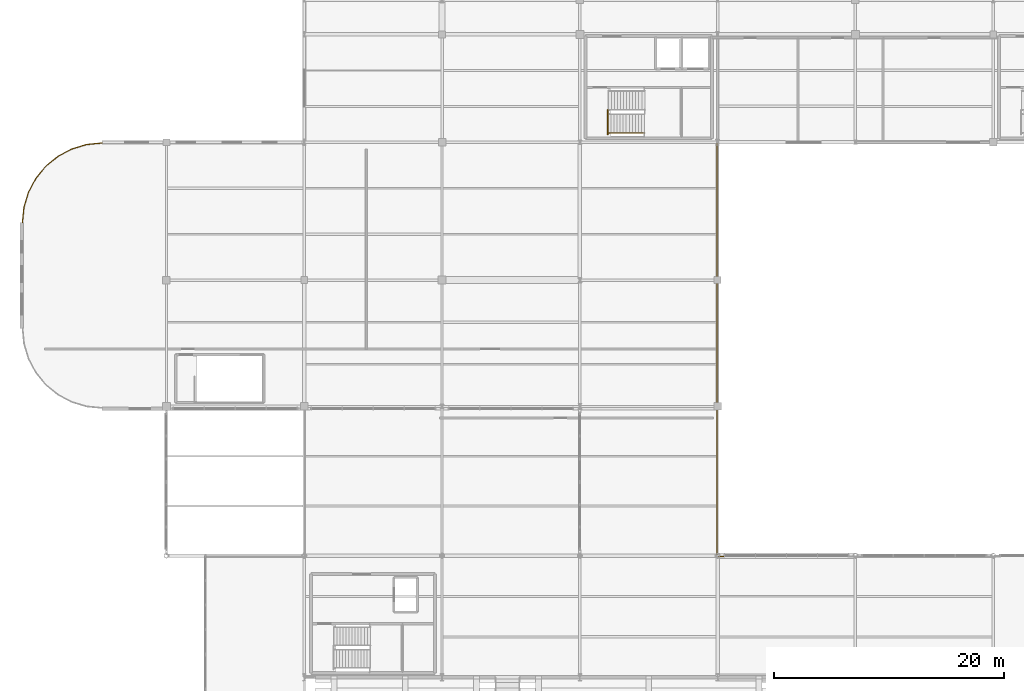
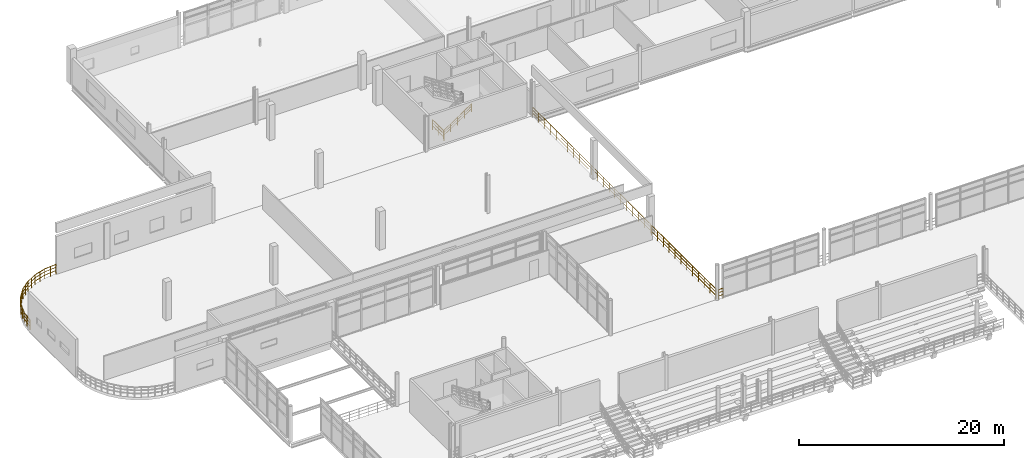
# One storey, part 82 of 89: 13 railings.
"""IFC4 building model written with IfcOpenShell, lengths in metres."""

import ifcopenshell
import ifcopenshell.guid

model = None  # the IFC model being written
_history = None  # IfcOwnerHistory: only IFC2X3 demands one
_inside = {}  # id of a spatial element -> (the spatial element, [elements in it])
_under = {}  # id of a project, library or spatial element -> (it, [spatial elements below it])
_declared = {}  # id of a project -> (the project, [libraries it declares])
_typed = {}  # id of a type object -> (the type object, [elements of that type])
_made_of = {}  # id of a material, layer set ... -> (it, [elements and type objects made of it])


def new_model(schema):
    """Start an empty IFC model of exactly this schema.

    Asked for "IFC4X3", IfcOpenShell would pick the latest addendum, in which some entities
    have other attributes; the version numbers below select the first issue.
    IFC2X3 requires an IfcOwnerHistory on every rooted entity: one is made here for all.
    """
    global model, _history
    if schema == "IFC4X3":
        model = ifcopenshell.file(schema_version=(4, 3, 0, 0))
    else:
        model = ifcopenshell.file(schema=schema)
    _inside.clear()
    _under.clear()
    _declared.clear()
    _typed.clear()
    _made_of.clear()
    _history = None
    if model.schema == "IFC2X3":
        org = make("IfcOrganization", Name="unknown")
        user = make(
            "IfcPersonAndOrganization",
            ThePerson=make("IfcPerson", FamilyName="unknown"),
            TheOrganization=org,
        )
        app = make(
            "IfcApplication",
            ApplicationDeveloper=org,
            Version="unknown",
            ApplicationFullName="unknown",
            ApplicationIdentifier="unknown",
        )
        _history = make(
            "IfcOwnerHistory",
            OwningUser=user,
            OwningApplication=app,
            ChangeAction="ADDED",
            CreationDate=0,
        )
    return model


def make(cls, **values):
    """One entity of the class cls with the attributes given. An attribute that is None is left unset."""
    return model.create_entity(
        cls, **{name: value for name, value in values.items() if value is not None}
    )


def rooted(cls, **values):
    """An entity with a GlobalId (a new one), such as an element, a storey or a relation."""
    return make(cls, GlobalId=ifcopenshell.guid.new(), OwnerHistory=_history, **values)


def si_unit(unit_type, name, prefix=None):
    """IfcSIUnit, for example si_unit("LENGTHUNIT", "METRE", prefix="MILLI")."""
    return make("IfcSIUnit", UnitType=unit_type, Prefix=prefix, Name=name)


def assignment(units):
    """IfcUnitAssignment: the units of a project."""
    return None if units is None else make("IfcUnitAssignment", Units=units)


def point(xyz):
    """IfcCartesianPoint."""
    return None if xyz is None else make("IfcCartesianPoint", Coordinates=xyz)


def direction(xyz):
    """IfcDirection."""
    return None if xyz is None else make("IfcDirection", DirectionRatios=xyz)


def frame(location, z_axis=None, x_axis=None):
    """IfcAxis2Placement3D, a coordinate frame: its origin and axes. An axis left out is left unset."""
    return make(
        "IfcAxis2Placement3D",
        Location=point(location),
        Axis=direction(z_axis),
        RefDirection=direction(x_axis),
    )


def frame_2d(location, x_axis=None):
    """IfcAxis2Placement2D, a coordinate frame in the plane: its origin and x axis."""
    return make(
        "IfcAxis2Placement2D", Location=point(location), RefDirection=direction(x_axis)
    )


def origin():
    """The frame at (0, 0, 0) with its axes left unset."""
    return frame((0.0, 0.0, 0.0))


def origin_2d():
    """The frame at (0, 0) in the plane with its x axis left unset."""
    return frame_2d((0.0, 0.0))


def place(relative_to, where):
    """IfcLocalPlacement: puts the frame where relative to a parent placement (None: the world)."""
    return make(
        "IfcLocalPlacement", PlacementRelTo=relative_to, RelativePlacement=where
    )


def context(
    kind, dimensions, precision=None, world=None, true_north=None, identifier=None
):
    """IfcGeometricRepresentationContext, for example the 3D "Model" context."""
    return make(
        "IfcGeometricRepresentationContext",
        ContextIdentifier=identifier,
        ContextType=kind,
        CoordinateSpaceDimension=dimensions,
        Precision=precision,
        WorldCoordinateSystem=world,
        TrueNorth=true_north,
    )


def subcontext(parent, identifier, kind, view, scale=None):
    """IfcGeometricRepresentationSubContext, for example "Body" below "Model"."""
    return make(
        "IfcGeometricRepresentationSubContext",
        ContextIdentifier=identifier,
        ContextType=kind,
        ParentContext=parent,
        TargetScale=scale,
        TargetView=view,
    )


def project(units=None, contexts=None):
    """IfcProject with its units and contexts."""
    return rooted(
        "IfcProject",
        Name="project",
        RepresentationContexts=contexts,
        UnitsInContext=assignment(units),
    )


def spatial(cls, under=None, at=None, **own):
    """A site, building, storey or space (cls), placed at a placement, below another one or the project."""
    s = rooted(cls, ObjectPlacement=at, **own)
    if under is not None:
        _under.setdefault(under.id(), (under, []))[1].append(s)
    return s


def profile(cls, at=None, kind="AREA", **sizes):
    """A parametric profile (cls). Its sizes go by their IFC names, for example OverallWidth=200.0."""
    return make(cls, ProfileType=kind, Position=at, **sizes)


def circle(**sizes):
    """IfcCircleProfileDef."""
    return profile("IfcCircleProfileDef", **sizes)


def extrude(swept, where, along, depth):
    """IfcExtrudedAreaSolid: the profile swept, set in the frame where, extruded along a direction by depth."""
    return make(
        "IfcExtrudedAreaSolid",
        SweptArea=swept,
        Position=where,
        ExtrudedDirection=direction(along),
        Depth=depth,
    )


def shape(context_of_items, identifier, shape_type, items):
    """IfcShapeRepresentation: the items that make up one representation, for example the "Body"."""
    return make(
        "IfcShapeRepresentation",
        ContextOfItems=context_of_items,
        RepresentationIdentifier=identifier,
        RepresentationType=shape_type,
        Items=items,
    )


def material(Name=None, Category=None):
    """IfcMaterial."""
    return make("IfcMaterial", Name=Name, Category=Category)


def layer(
    of_material, thickness, ventilated=None, Name=None, Category=None, Priority=None
):
    """IfcMaterialLayer: one layer of a wall or slab, of a material (None: an air gap)."""
    return make(
        "IfcMaterialLayer",
        Material=of_material,
        LayerThickness=thickness,
        IsVentilated=ventilated,
        Name=Name,
        Category=Category,
        Priority=Priority,
    )


def layer_set(layers, Name=None):
    """IfcMaterialLayerSet."""
    return make("IfcMaterialLayerSet", MaterialLayers=layers, LayerSetName=Name)


def made_of(thing, what):
    """Note that an element or type object is made of a material, layer set ...; save() writes the relation."""
    if what is not None:
        _made_of.setdefault(what.id(), (what, []))[1].append(thing)
    return thing


def type_object(cls, material=None, **own):
    """A type object (cls), such as IfcWallType, which elements share."""
    return made_of(rooted(cls, **own), material)


def element(
    cls,
    number,
    at=None,
    inside=None,
    cuts=None,
    type_object=None,
    material=None,
    context=None,
    identifier="Body",
    shape_type=None,
    held_by="IfcProductDefinitionShape",
    body=None,
    shapes=None,
    **own,
):
    """One element of the class cls, such as IfcWall. Its Tag is "e" and its number.

    at: its placement. inside: the storey or other place that contains it. cuts: it is an
    opening in that element (IfcRelVoidsElement). A single representation is given by context,
    identifier, shape_type and body (its items); several are given by shapes. held_by: the class
    of the entity that holds the representations. save() writes the other relations.
    """
    e = rooted(cls, Tag="e%d" % number, ObjectPlacement=at, **own)
    if body is not None:
        shapes = [shape(context, identifier, shape_type, body)]
    if shapes is not None:
        e.Representation = make(held_by, Representations=shapes)
    if inside is not None:
        _inside.setdefault(inside.id(), (inside, []))[1].append(e)
    if cuts is not None:
        rooted(
            "IfcRelVoidsElement", RelatingBuildingElement=cuts, RelatedOpeningElement=e
        )
    if type_object is not None:
        _typed.setdefault(type_object.id(), (type_object, []))[1].append(e)
    return made_of(e, material)


def aggregate(whole, parts):
    """IfcRelAggregates: a whole, such as a stair, and the parts it consists of."""
    return rooted("IfcRelAggregates", RelatingObject=whole, RelatedObjects=parts)


def save(model, path):
    """Write the relations noted so far, then the file.

    IfcRelAggregates (storeys below a building ...), IfcRelContainedInSpatialStructure (elements
    in a storey), IfcRelDefinesByType, IfcRelAssociatesMaterial and IfcRelDeclares: one each for
    every whole, place, type object, material and project.
    """
    for whole, parts in _under.values():
        aggregate(whole, parts)
    for where, things in _inside.values():
        rooted(
            "IfcRelContainedInSpatialStructure",
            RelatedElements=things,
            RelatingStructure=where,
        )
    for kind, things in _typed.values():
        rooted("IfcRelDefinesByType", RelatedObjects=things, RelatingType=kind)
    for what, things in _made_of.values():
        rooted("IfcRelAssociatesMaterial", RelatedObjects=things, RelatingMaterial=what)
    for by, libraries in _declared.values():
        rooted("IfcRelDeclares", RelatingContext=by, RelatedDefinitions=libraries)
    model.write(path)


model = new_model("IFC4")

# Units and contexts
model_context = context("Model", 3, precision=1e-05, world=origin(), true_north=direction((0.0, 1.0)))
body_context = subcontext(model_context, "Body", "Model", "MODEL_VIEW")
ifc_project = project(units=[si_unit("LENGTHUNIT", "METRE"), si_unit("AREAUNIT", "SQUARE_METRE"), si_unit("VOLUMEUNIT", "CUBIC_METRE"), si_unit("PLANEANGLEUNIT", "RADIAN"), si_unit("MASSUNIT", "GRAM", prefix="KILO"), si_unit("THERMODYNAMICTEMPERATUREUNIT", "KELVIN"), si_unit("POWERUNIT", "WATT")], contexts=[model_context])

# Site, building, storey
site_placement = place(None, origin())
site = spatial("IfcSite", under=ifc_project, at=site_placement, CompositionType="ELEMENT")
building_placement = place(site_placement, origin())
building = spatial("IfcBuilding", under=site, at=building_placement, Name="Solmara Park Aquatics Centre", CompositionType="ELEMENT")
storey_placement = place(building_placement, frame((0.0, 0.0, 5.39990234375)))
storey = spatial("IfcBuildingStorey", under=building, at=storey_placement, Name="L01", CompositionType="ELEMENT", Elevation=5.39990234375)

# Railings
ifc_material_1 = material(Name="Brushed Marine-Grade Stainless Steel 316L Handrail", Category="steel")
ifc_layer_1 = layer(ifc_material_1, 0.044921875, Name="Brushed Marine-Grade Stainless Steel 316L Handrail")
ifc_layer_set_1 = layer_set([ifc_layer_1], Name="Brushed Marine-Grade Stainless Steel 316L Handrail")
railing_type_1 = type_object("IfcRailingType", Name="ARC-RL-HND090", PredefinedType="HANDRAIL", material=ifc_layer_set_1)
railing_1_placement = place(storey_placement, frame((51.050048828125, 109.409912109375, 0.16162109375)))
element("IfcRailing", 1, at=railing_1_placement, inside=storey, type_object=railing_type_1, Name="ST-01 Protected Exit Stair (L01 to L02) Flight 1 Outer Handrail", PredefinedType="HANDRAIL", context=body_context, shape_type="SweptSolid", body=[
    extrude(circle(Radius=0.02392578125, at=origin_2d()), frame((0.0, 0.0, 0.89599609375), z_axis=(0.834447378162, 0.0, 0.551087627405), x_axis=(0.0, 1.0, 0.0)), (0.0, 0.0, 1.0), 3.810791015625),
    extrude(circle(Radius=0.01416015625, at=origin_2d()), frame((0.0, 0.0, 0.322021484375), z_axis=(0.834447378162, 0.0, 0.551087627405), x_axis=(0.0, 1.0, 0.0)), (0.0, 0.0, 1.0), 3.810791015625),
    extrude(circle(Radius=0.01416015625, at=origin_2d()), frame((0.0, 0.0, 0.62548828125), z_axis=(0.834447378162, 0.0, 0.551087627405), x_axis=(0.0, 1.0, 0.0)), (0.0, 0.0, 1.0), 3.810791015625),
    extrude(circle(Radius=0.02099609375, at=origin_2d()), origin(), (0.0, 0.0, 1.0), 0.871826171875),
    extrude(circle(Radius=0.02099609375, at=origin_2d()), frame((0.794921875, 0.0, 0.52490234375)), (0.0, 0.0, 1.0), 0.871826171875),
    extrude(circle(Radius=0.02099609375, at=origin_2d()), frame((1.58984375, 0.0, 1.050048828125)), (0.0, 0.0, 1.0), 0.871826171875),
    extrude(circle(Radius=0.02099609375, at=origin_2d()), frame((2.385009765625, 0.0, 1.5751953125)), (0.0, 0.0, 1.0), 0.871826171875),
    extrude(circle(Radius=0.02099609375, at=origin_2d()), frame((3.179931640625, 0.0, 2.10009765625)), (0.0, 0.0, 1.0), 0.871826171875),
])
ifc_material_2 = material(Name="Toughened Glass and Stainless Steel Stand Guardrail", Category="steel")
ifc_layer_2 = layer(ifc_material_2, 0.06005859375, Name="Toughened Glass and Stainless Steel Stand Guardrail")
ifc_layer_set_2 = layer_set([ifc_layer_2], Name="Toughened Glass and Stainless Steel Stand Guardrail")
railing_type_2 = type_object("IfcRailingType", Name="ARC-RL-STD110", PredefinedType="GUARDRAIL", material=ifc_layer_set_2)
railing_2_placement = place(storey_placement, frame((60.726318359375, 72.5400390625, 0.0)))
element("IfcRailing", 2, at=railing_2_placement, inside=storey, type_object=railing_type_2, Name="L01 Slab Edge Guardrail 035", PredefinedType="GUARDRAIL", context=body_context, shape_type="SweptSolid", body=[
    extrude(circle(Radius=0.02392578125, at=origin_2d()), frame((0.0, 0.0, 1.15576171875), z_axis=(1.0, 0.0, 0.0), x_axis=(0.0, 1.0, 0.0)), (0.0, 0.0, 1.0), 0.49365234375),
    extrude(circle(Radius=0.01416015625, at=origin_2d()), frame((0.0, 0.0, 0.4130859375), z_axis=(1.0, 0.0, 0.0), x_axis=(0.0, 1.0, 0.0)), (0.0, 0.0, 1.0), 0.49365234375),
    extrude(circle(Radius=0.01416015625, at=origin_2d()), frame((0.0, 0.0, 0.80224609375), z_axis=(1.0, 0.0, 0.0), x_axis=(0.0, 1.0, 0.0)), (0.0, 0.0, 1.0), 0.49365234375),
    extrude(circle(Radius=0.02099609375, at=origin_2d()), origin(), (0.0, 0.0, 1.0), 1.1318359375),
    extrude(circle(Radius=0.02099609375, at=origin_2d()), frame((0.49365234375, 0.0, 0.0)), (0.0, 0.0, 1.0), 1.1318359375),
])
railing_3_placement = place(storey_placement, frame((0.060302734375, 101.60009765625, 0.0)))
element("IfcRailing", 3, at=railing_3_placement, inside=storey, type_object=railing_type_2, Name="L01 Slab Edge Guardrail 051", PredefinedType="GUARDRAIL", context=body_context, shape_type="SweptSolid", body=[
    extrude(circle(Radius=0.02392578125, at=origin_2d()), frame((0.0, 0.0, 1.15576171875), z_axis=(0.097993173928, 0.995187086865, 0.0), x_axis=(-0.995187086865, 0.097993173928, 0.0)), (0.0, 0.0, 1.0), 1.3603515625),
    extrude(circle(Radius=0.01416015625, at=origin_2d()), frame((0.0, 0.0, 0.4130859375), z_axis=(0.097993173928, 0.995187086865, 0.0), x_axis=(-0.995187086865, 0.097993173928, 0.0)), (0.0, 0.0, 1.0), 1.3603515625),
    extrude(circle(Radius=0.01416015625, at=origin_2d()), frame((0.0, 0.0, 0.80224609375), z_axis=(0.097993173928, 0.995187086865, 0.0), x_axis=(-0.995187086865, 0.097993173928, 0.0)), (0.0, 0.0, 1.0), 1.3603515625),
    extrude(circle(Radius=0.02099609375, at=origin_2d()), origin(), (0.0, 0.0, 1.0), 1.1318359375),
    extrude(circle(Radius=0.02099609375, at=origin_2d()), frame((0.066650390625, 0.6767578125, 0.0)), (0.0, 0.0, 1.0), 1.1318359375),
    extrude(circle(Radius=0.02099609375, at=origin_2d()), frame((0.13330078125, 1.353759765625, 0.0)), (0.0, 0.0, 1.0), 1.1318359375),
])
railing_4_placement = place(storey_placement, frame((0.193603515625, 102.953857421875, 0.0)))
element("IfcRailing", 4, at=railing_4_placement, inside=storey, type_object=railing_type_2, Name="L01 Slab Edge Guardrail 052", PredefinedType="GUARDRAIL", context=body_context, shape_type="SweptSolid", body=[
    extrude(circle(Radius=0.02392578125, at=origin_2d()), frame((0.0, 0.0, 1.15576171875), z_axis=(0.290211619235, 0.956962494595, 0.0), x_axis=(-0.956962494595, 0.290211619235, 0.0)), (0.0, 0.0, 1.0), 1.3603515625),
    extrude(circle(Radius=0.01416015625, at=origin_2d()), frame((0.0, 0.0, 0.4130859375), z_axis=(0.290211619235, 0.956962494595, 0.0), x_axis=(-0.956962494595, 0.290211619235, 0.0)), (0.0, 0.0, 1.0), 1.3603515625),
    extrude(circle(Radius=0.01416015625, at=origin_2d()), frame((0.0, 0.0, 0.80224609375), z_axis=(0.290211619235, 0.956962494595, 0.0), x_axis=(-0.956962494595, 0.290211619235, 0.0)), (0.0, 0.0, 1.0), 1.3603515625),
    extrude(circle(Radius=0.02099609375, at=origin_2d()), origin(), (0.0, 0.0, 1.0), 1.1318359375),
    extrude(circle(Radius=0.02099609375, at=origin_2d()), frame((0.197265625, 0.65087890625, 0.0)), (0.0, 0.0, 1.0), 1.1318359375),
    extrude(circle(Radius=0.02099609375, at=origin_2d()), frame((0.394775390625, 1.3017578125, 0.0)), (0.0, 0.0, 1.0), 1.1318359375),
])
railing_5_placement = place(storey_placement, frame((0.58837890625, 104.255615234375, 0.0)))
element("IfcRailing", 5, at=railing_5_placement, inside=storey, type_object=railing_type_2, Name="L01 Slab Edge Guardrail 053", PredefinedType="GUARDRAIL", context=body_context, shape_type="SweptSolid", body=[
    extrude(circle(Radius=0.02392578125, at=origin_2d()), frame((0.0, 0.0, 1.15576171875), z_axis=(0.471379677501, 0.881930382535, 0.0), x_axis=(-0.881930382535, 0.471379677501, 0.0)), (0.0, 0.0, 1.0), 1.360595703125),
    extrude(circle(Radius=0.01416015625, at=origin_2d()), frame((0.0, 0.0, 0.4130859375), z_axis=(0.471379677501, 0.881930382535, 0.0), x_axis=(-0.881930382535, 0.471379677501, 0.0)), (0.0, 0.0, 1.0), 1.360595703125),
    extrude(circle(Radius=0.01416015625, at=origin_2d()), frame((0.0, 0.0, 0.80224609375), z_axis=(0.471379677501, 0.881930382535, 0.0), x_axis=(-0.881930382535, 0.471379677501, 0.0)), (0.0, 0.0, 1.0), 1.360595703125),
    extrude(circle(Radius=0.02099609375, at=origin_2d()), origin(), (0.0, 0.0, 1.0), 1.1318359375),
    extrude(circle(Radius=0.02099609375, at=origin_2d()), frame((0.32080078125, 0.60009765625, 0.0)), (0.0, 0.0, 1.0), 1.1318359375),
    extrude(circle(Radius=0.02099609375, at=origin_2d()), frame((0.641357421875, 1.199951171875, 0.0)), (0.0, 0.0, 1.0), 1.1318359375),
])
railing_6_placement = place(storey_placement, frame((1.229736328125, 105.45556640625, 0.0)))
element("IfcRailing", 6, at=railing_6_placement, inside=storey, type_object=railing_type_2, Name="L01 Slab Edge Guardrail 054", PredefinedType="GUARDRAIL", context=body_context, shape_type="SweptSolid", body=[
    extrude(circle(Radius=0.02392578125, at=origin_2d()), frame((0.0, 0.0, 1.15576171875), z_axis=(0.634536580186, 0.772892831126, 0.0), x_axis=(-0.772892831126, 0.634536580186, 0.0)), (0.0, 0.0, 1.0), 1.360595703125),
    extrude(circle(Radius=0.01416015625, at=origin_2d()), frame((0.0, 0.0, 0.4130859375), z_axis=(0.634536580186, 0.772892831126, 0.0), x_axis=(-0.772892831126, 0.634536580186, 0.0)), (0.0, 0.0, 1.0), 1.360595703125),
    extrude(circle(Radius=0.01416015625, at=origin_2d()), frame((0.0, 0.0, 0.80224609375), z_axis=(0.634536580186, 0.772892831126, 0.0), x_axis=(-0.772892831126, 0.634536580186, 0.0)), (0.0, 0.0, 1.0), 1.360595703125),
    extrude(circle(Radius=0.02099609375, at=origin_2d()), origin(), (0.0, 0.0, 1.0), 1.1318359375),
    extrude(circle(Radius=0.02099609375, at=origin_2d()), frame((0.431640625, 0.52587890625, 0.0)), (0.0, 0.0, 1.0), 1.1318359375),
    extrude(circle(Radius=0.02099609375, at=origin_2d()), frame((0.86328125, 1.051513671875, 0.0)), (0.0, 0.0, 1.0), 1.1318359375),
])
railing_7_placement = place(storey_placement, frame((2.093017578125, 106.507080078125, 0.0)))
element("IfcRailing", 7, at=railing_7_placement, inside=storey, type_object=railing_type_2, Name="L01 Slab Edge Guardrail 055", PredefinedType="GUARDRAIL", context=body_context, shape_type="SweptSolid", body=[
    extrude(circle(Radius=0.02392578125, at=origin_2d()), frame((0.0, 0.0, 1.15576171875), z_axis=(0.772980841347, 0.634429364792, 0.0), x_axis=(-0.634429364792, 0.772980841347, 0.0)), (0.0, 0.0, 1.0), 1.3603515625),
    extrude(circle(Radius=0.01416015625, at=origin_2d()), frame((0.0, 0.0, 0.4130859375), z_axis=(0.772980841347, 0.634429364792, 0.0), x_axis=(-0.634429364792, 0.772980841347, 0.0)), (0.0, 0.0, 1.0), 1.3603515625),
    extrude(circle(Radius=0.01416015625, at=origin_2d()), frame((0.0, 0.0, 0.80224609375), z_axis=(0.772980841347, 0.634429364792, 0.0), x_axis=(-0.634429364792, 0.772980841347, 0.0)), (0.0, 0.0, 1.0), 1.3603515625),
    extrude(circle(Radius=0.02099609375, at=origin_2d()), origin(), (0.0, 0.0, 1.0), 1.1318359375),
    extrude(circle(Radius=0.02099609375, at=origin_2d()), frame((0.52587890625, 0.431640625, 0.0)), (0.0, 0.0, 1.0), 1.1318359375),
    extrude(circle(Radius=0.02099609375, at=origin_2d()), frame((1.051513671875, 0.863037109375, 0.0)), (0.0, 0.0, 1.0), 1.1318359375),
])
railing_8_placement = place(storey_placement, frame((3.14453125, 107.3701171875, 0.0)))
element("IfcRailing", 8, at=railing_8_placement, inside=storey, type_object=railing_type_2, Name="L01 Slab Edge Guardrail 056", PredefinedType="GUARDRAIL", context=body_context, shape_type="SweptSolid", body=[
    extrude(circle(Radius=0.02392578125, at=origin_2d()), frame((0.0, 0.0, 1.15576171875), z_axis=(0.881890502495, 0.47145428369, 0.0), x_axis=(-0.47145428369, 0.881890502495, 0.0)), (0.0, 0.0, 1.0), 1.3603515625),
    extrude(circle(Radius=0.01416015625, at=origin_2d()), frame((0.0, 0.0, 0.4130859375), z_axis=(0.881890502495, 0.47145428369, 0.0), x_axis=(-0.47145428369, 0.881890502495, 0.0)), (0.0, 0.0, 1.0), 1.3603515625),
    extrude(circle(Radius=0.01416015625, at=origin_2d()), frame((0.0, 0.0, 0.80224609375), z_axis=(0.881890502495, 0.47145428369, 0.0), x_axis=(-0.47145428369, 0.881890502495, 0.0)), (0.0, 0.0, 1.0), 1.3603515625),
    extrude(circle(Radius=0.02099609375, at=origin_2d()), origin(), (0.0, 0.0, 1.0), 1.1318359375),
    extrude(circle(Radius=0.02099609375, at=origin_2d()), frame((0.599853515625, 0.32080078125, 0.0)), (0.0, 0.0, 1.0), 1.1318359375),
    extrude(circle(Radius=0.02099609375, at=origin_2d()), frame((1.19970703125, 0.641357421875, 0.0)), (0.0, 0.0, 1.0), 1.1318359375),
])
railing_9_placement = place(storey_placement, frame((4.34423828125, 108.011474609375, 0.0)))
element("IfcRailing", 9, at=railing_9_placement, inside=storey, type_object=railing_type_2, Name="L01 Slab Edge Guardrail 057", PredefinedType="GUARDRAIL", context=body_context, shape_type="SweptSolid", body=[
    extrude(circle(Radius=0.02392578125, at=origin_2d()), frame((0.0, 0.0, 1.15576171875), z_axis=(0.956927767247, 0.29032610677, 0.0), x_axis=(-0.29032610677, 0.956927767247, 0.0)), (0.0, 0.0, 1.0), 1.360595703125),
    extrude(circle(Radius=0.01416015625, at=origin_2d()), frame((0.0, 0.0, 0.4130859375), z_axis=(0.956927767247, 0.29032610677, 0.0), x_axis=(-0.29032610677, 0.956927767247, 0.0)), (0.0, 0.0, 1.0), 1.360595703125),
    extrude(circle(Radius=0.01416015625, at=origin_2d()), frame((0.0, 0.0, 0.80224609375), z_axis=(0.956927767247, 0.29032610677, 0.0), x_axis=(-0.29032610677, 0.956927767247, 0.0)), (0.0, 0.0, 1.0), 1.360595703125),
    extrude(circle(Radius=0.02099609375, at=origin_2d()), origin(), (0.0, 0.0, 1.0), 1.1318359375),
    extrude(circle(Radius=0.02099609375, at=origin_2d()), frame((0.65087890625, 0.197509765625, 0.0)), (0.0, 0.0, 1.0), 1.1318359375),
    extrude(circle(Radius=0.02099609375, at=origin_2d()), frame((1.302001953125, 0.39501953125, 0.0)), (0.0, 0.0, 1.0), 1.1318359375),
])
railing_10_placement = place(storey_placement, frame((5.646240234375, 108.406494140625, 0.0)))
element("IfcRailing", 10, at=railing_10_placement, inside=storey, type_object=railing_type_2, Name="L01 Slab Edge Guardrail 058", PredefinedType="GUARDRAIL", context=body_context, shape_type="SweptSolid", body=[
    extrude(circle(Radius=0.02392578125, at=origin_2d()), frame((0.0, 0.0, 1.15576171875), z_axis=(0.995187086865, 0.097993173928, 0.0), x_axis=(-0.097993173928, 0.995187086865, 0.0)), (0.0, 0.0, 1.0), 1.3603515625),
    extrude(circle(Radius=0.01416015625, at=origin_2d()), frame((0.0, 0.0, 0.4130859375), z_axis=(0.995187086865, 0.097993173928, 0.0), x_axis=(-0.097993173928, 0.995187086865, 0.0)), (0.0, 0.0, 1.0), 1.3603515625),
    extrude(circle(Radius=0.01416015625, at=origin_2d()), frame((0.0, 0.0, 0.80224609375), z_axis=(0.995187086865, 0.097993173928, 0.0), x_axis=(-0.097993173928, 0.995187086865, 0.0)), (0.0, 0.0, 1.0), 1.3603515625),
    extrude(circle(Radius=0.02099609375, at=origin_2d()), origin(), (0.0, 0.0, 1.0), 1.1318359375),
    extrude(circle(Radius=0.02099609375, at=origin_2d()), frame((0.6767578125, 0.066650390625, 0.0)), (0.0, 0.0, 1.0), 1.1318359375),
    extrude(circle(Radius=0.02099609375, at=origin_2d()), frame((1.353759765625, 0.13330078125, 0.0)), (0.0, 0.0, 1.0), 1.1318359375),
])
railing_11_placement = place(storey_placement, frame((60.5400390625, 108.4599609375, 0.0)))
element("IfcRailing", 11, at=railing_11_placement, inside=storey, type_object=railing_type_2, Name="L01 Slab Edge Guardrail 059", PredefinedType="GUARDRAIL", context=body_context, shape_type="SweptSolid", body=[
    extrude(circle(Radius=0.02392578125, at=origin_2d()), frame((0.0, 0.0, 1.15576171875), z_axis=(0.0, -1.0, 0.0), x_axis=(1.0, 0.0, 0.0)), (0.0, 0.0, 1.0), 22.919921875),
    extrude(circle(Radius=0.01416015625, at=origin_2d()), frame((0.0, 0.0, 0.4130859375), z_axis=(0.0, -1.0, 0.0), x_axis=(1.0, 0.0, 0.0)), (0.0, 0.0, 1.0), 22.919921875),
    extrude(circle(Radius=0.01416015625, at=origin_2d()), frame((0.0, 0.0, 0.80224609375), z_axis=(0.0, -1.0, 0.0), x_axis=(1.0, 0.0, 0.0)), (0.0, 0.0, 1.0), 22.919921875),
    extrude(circle(Radius=0.02099609375, at=origin_2d()), origin(), (0.0, 0.0, 1.0), 1.1318359375),
    extrude(circle(Radius=0.02099609375, at=origin_2d()), frame((0.0, -1.14599609375, 0.0)), (0.0, 0.0, 1.0), 1.1318359375),
    extrude(circle(Radius=0.02099609375, at=origin_2d()), frame((0.0, -2.2919921875, 0.0)), (0.0, 0.0, 1.0), 1.1318359375),
    extrude(circle(Radius=0.02099609375, at=origin_2d()), frame((0.0, -3.43798828125, 0.0)), (0.0, 0.0, 1.0), 1.1318359375),
    extrude(circle(Radius=0.02099609375, at=origin_2d()), frame((0.0, -4.583984375, 0.0)), (0.0, 0.0, 1.0), 1.1318359375),
    extrude(circle(Radius=0.02099609375, at=origin_2d()), frame((0.0, -5.72998046875, 0.0)), (0.0, 0.0, 1.0), 1.1318359375),
    extrude(circle(Radius=0.02099609375, at=origin_2d()), frame((0.0, -6.8759765625, 0.0)), (0.0, 0.0, 1.0), 1.1318359375),
    extrude(circle(Radius=0.02099609375, at=origin_2d()), frame((0.0, -8.02197265625, 0.0)), (0.0, 0.0, 1.0), 1.1318359375),
    extrude(circle(Radius=0.02099609375, at=origin_2d()), frame((0.0, -9.16796875, 0.0)), (0.0, 0.0, 1.0), 1.1318359375),
    extrude(circle(Radius=0.02099609375, at=origin_2d()), frame((0.0, -10.31396484375, 0.0)), (0.0, 0.0, 1.0), 1.1318359375),
    extrude(circle(Radius=0.02099609375, at=origin_2d()), frame((0.0, -11.4599609375, 0.0)), (0.0, 0.0, 1.0), 1.1318359375),
    extrude(circle(Radius=0.02099609375, at=origin_2d()), frame((0.0, -12.60595703125, 0.0)), (0.0, 0.0, 1.0), 1.1318359375),
    extrude(circle(Radius=0.02099609375, at=origin_2d()), frame((0.0, -13.751953125, 0.0)), (0.0, 0.0, 1.0), 1.1318359375),
    extrude(circle(Radius=0.02099609375, at=origin_2d()), frame((0.0, -14.89794921875, 0.0)), (0.0, 0.0, 1.0), 1.1318359375),
    extrude(circle(Radius=0.02099609375, at=origin_2d()), frame((0.0, -16.0439453125, 0.0)), (0.0, 0.0, 1.0), 1.1318359375),
    extrude(circle(Radius=0.02099609375, at=origin_2d()), frame((0.0, -17.18994140625, 0.0)), (0.0, 0.0, 1.0), 1.1318359375),
    extrude(circle(Radius=0.02099609375, at=origin_2d()), frame((0.0, -18.3359375, 0.0)), (0.0, 0.0, 1.0), 1.1318359375),
    extrude(circle(Radius=0.02099609375, at=origin_2d()), frame((0.0, -19.48193359375, 0.0)), (0.0, 0.0, 1.0), 1.1318359375),
    extrude(circle(Radius=0.02099609375, at=origin_2d()), frame((0.0, -20.6279296875, 0.0)), (0.0, 0.0, 1.0), 1.1318359375),
    extrude(circle(Radius=0.02099609375, at=origin_2d()), frame((0.0, -21.77392578125, 0.0)), (0.0, 0.0, 1.0), 1.1318359375),
    extrude(circle(Radius=0.02099609375, at=origin_2d()), frame((0.0, -22.919921875, 0.0)), (0.0, 0.0, 1.0), 1.1318359375),
])
railing_12_placement = place(storey_placement, frame((60.5400390625, 85.260009765625, 0.0)))
element("IfcRailing", 12, at=railing_12_placement, inside=storey, type_object=railing_type_2, Name="L01 Slab Edge Guardrail 069", PredefinedType="GUARDRAIL", context=body_context, shape_type="SweptSolid", body=[
    extrude(circle(Radius=0.02392578125, at=origin_2d()), frame((0.0, 0.0, 1.15576171875), z_axis=(0.0, -1.0, 0.0), x_axis=(1.0, 0.0, 0.0)), (0.0, 0.0, 1.0), 12.52001953125),
    extrude(circle(Radius=0.01416015625, at=origin_2d()), frame((0.0, 0.0, 0.4130859375), z_axis=(0.0, -1.0, 0.0), x_axis=(1.0, 0.0, 0.0)), (0.0, 0.0, 1.0), 12.52001953125),
    extrude(circle(Radius=0.01416015625, at=origin_2d()), frame((0.0, 0.0, 0.80224609375), z_axis=(0.0, -1.0, 0.0), x_axis=(1.0, 0.0, 0.0)), (0.0, 0.0, 1.0), 12.52001953125),
    extrude(circle(Radius=0.02099609375, at=origin_2d()), origin(), (0.0, 0.0, 1.0), 1.1318359375),
    extrude(circle(Radius=0.02099609375, at=origin_2d()), frame((0.0, -1.13818359375, 0.0)), (0.0, 0.0, 1.0), 1.1318359375),
    extrude(circle(Radius=0.02099609375, at=origin_2d()), frame((0.0, -2.2763671875, 0.0)), (0.0, 0.0, 1.0), 1.1318359375),
    extrude(circle(Radius=0.02099609375, at=origin_2d()), frame((0.0, -3.41455078125, 0.0)), (0.0, 0.0, 1.0), 1.1318359375),
    extrude(circle(Radius=0.02099609375, at=origin_2d()), frame((0.0, -4.552734375, 0.0)), (0.0, 0.0, 1.0), 1.1318359375),
    extrude(circle(Radius=0.02099609375, at=origin_2d()), frame((0.0, -5.69091796875, 0.0)), (0.0, 0.0, 1.0), 1.1318359375),
    extrude(circle(Radius=0.02099609375, at=origin_2d()), frame((0.0, -6.8291015625, 0.0)), (0.0, 0.0, 1.0), 1.1318359375),
    extrude(circle(Radius=0.02099609375, at=origin_2d()), frame((0.0, -7.96728515625, 0.0)), (0.0, 0.0, 1.0), 1.1318359375),
    extrude(circle(Radius=0.02099609375, at=origin_2d()), frame((0.0, -9.10546875, 0.0)), (0.0, 0.0, 1.0), 1.1318359375),
    extrude(circle(Radius=0.02099609375, at=origin_2d()), frame((0.0, -10.24365234375, 0.0)), (0.0, 0.0, 1.0), 1.1318359375),
    extrude(circle(Radius=0.02099609375, at=origin_2d()), frame((0.0, -11.3818359375, 0.0)), (0.0, 0.0, 1.0), 1.1318359375),
    extrude(circle(Radius=0.02099609375, at=origin_2d()), frame((0.0, -12.52001953125, 0.0)), (0.0, 0.0, 1.0), 1.1318359375),
])
ifc_material_3 = material(Name="Brushed Stainless Steel Guardrail", Category="steel")
ifc_layer_3 = layer(ifc_material_3, 0.050048828125, Name="Brushed Stainless Steel Guardrail")
ifc_layer_set_3 = layer_set([ifc_layer_3], Name="Brushed Stainless Steel Guardrail")
railing_type_3 = type_object("IfcRailingType", Name="ARC-RL-STR110", PredefinedType="GUARDRAIL", material=ifc_layer_set_3)
railing_13_placement = place(storey_placement, frame((51.030029296875, 109.27001953125, 0.0)))
element("IfcRailing", 13, at=railing_13_placement, inside=storey, type_object=railing_type_3, Name="ST-01 Protected Exit Stair (L00 to L01) Arrival Well Guardrail", PredefinedType="GUARDRAIL", context=body_context, shape_type="SweptSolid", body=[
    extrude(circle(Radius=0.02392578125, at=origin_2d()), frame((0.0, 0.0, 1.15576171875), z_axis=(0.0, 1.0, 0.0), x_axis=(-1.0, 0.0, 0.0)), (0.0, 0.0, 1.0), 2.169921875),
    extrude(circle(Radius=0.01416015625, at=origin_2d()), frame((0.0, 0.0, 0.4130859375), z_axis=(0.0, 1.0, 0.0), x_axis=(-1.0, 0.0, 0.0)), (0.0, 0.0, 1.0), 2.169921875),
    extrude(circle(Radius=0.01416015625, at=origin_2d()), frame((0.0, 0.0, 0.80224609375), z_axis=(0.0, 1.0, 0.0), x_axis=(-1.0, 0.0, 0.0)), (0.0, 0.0, 1.0), 2.169921875),
    extrude(circle(Radius=0.02099609375, at=origin_2d()), origin(), (0.0, 0.0, 1.0), 1.1318359375),
    extrude(circle(Radius=0.02099609375, at=origin_2d()), frame((0.0, 1.0849609375, 0.0)), (0.0, 0.0, 1.0), 1.1318359375),
    extrude(circle(Radius=0.02099609375, at=origin_2d()), frame((0.0, 2.169921875, 0.0)), (0.0, 0.0, 1.0), 1.1318359375),
])

save(model, "model.ifc")
